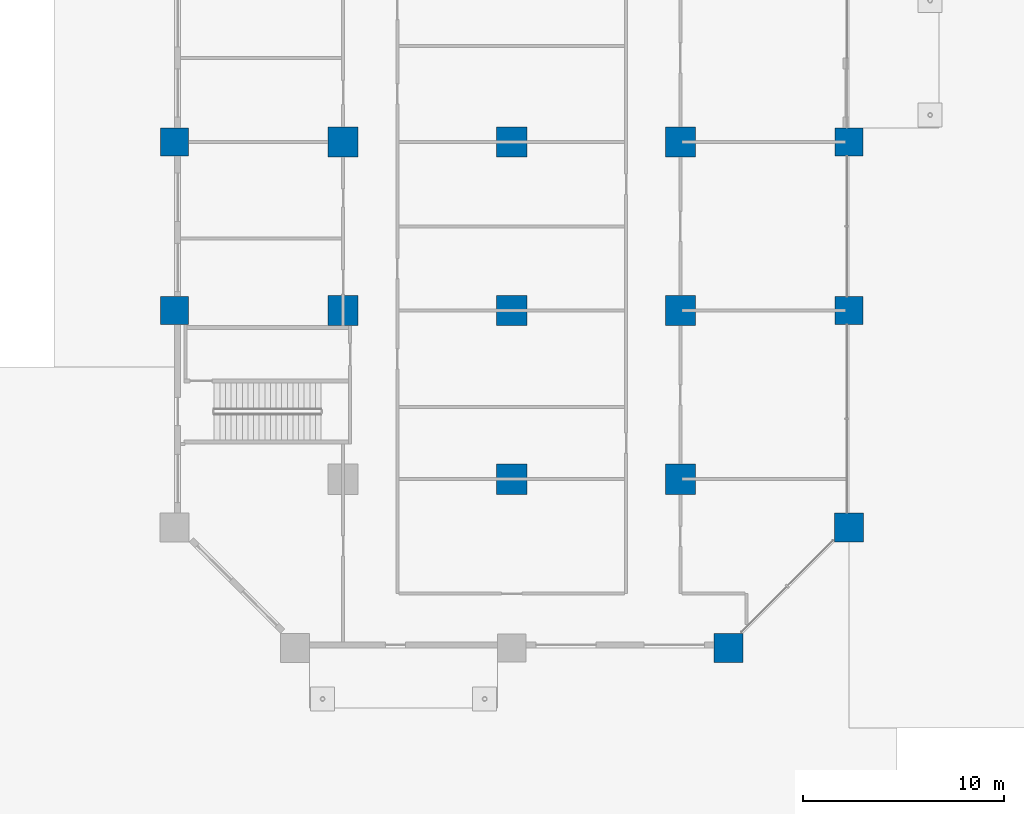
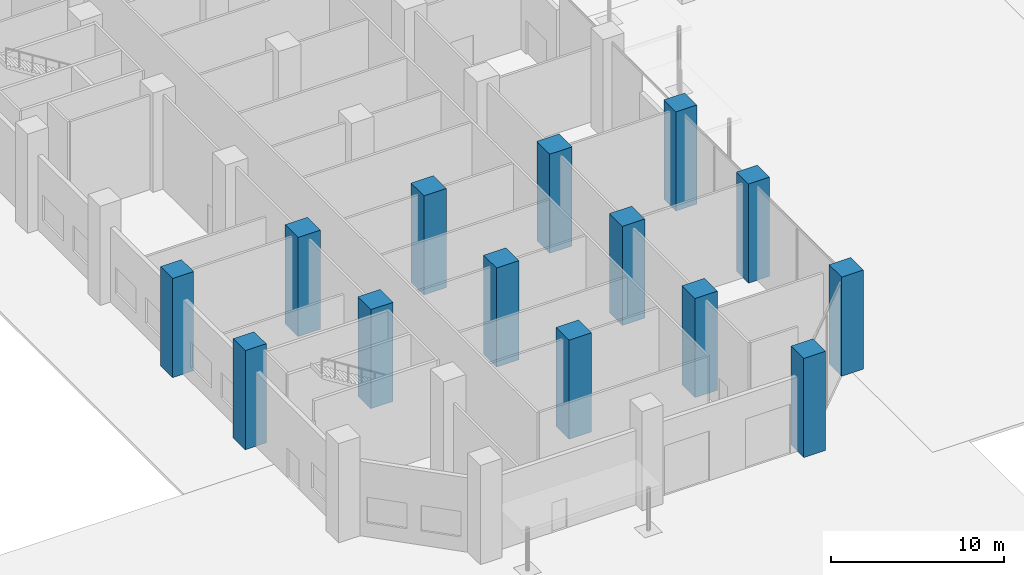
# One storey, part 3 of 32: 14 columns.
"""IFC4 building model written with IfcOpenShell, lengths in metres."""

from ifc_helpers import new_model, si_unit, direction, frame, origin, origin_2d, place, context, subcontext, project, spatial, rectangle, extrude, material, material_profile, profile_set, type_object, element, save


model = new_model("IFC4")

# Units and contexts
model_context = context("Model", 3, precision=1e-05, world=origin(), true_north=direction((0.0, 1.0)))
body_context = subcontext(model_context, "Body", "Model", "MODEL_VIEW")
ifc_project = project(units=[si_unit("LENGTHUNIT", "METRE"), si_unit("AREAUNIT", "SQUARE_METRE"), si_unit("VOLUMEUNIT", "CUBIC_METRE"), si_unit("PLANEANGLEUNIT", "RADIAN"), si_unit("MASSUNIT", "GRAM", prefix="KILO")], contexts=[model_context])

# Site, building, storey
site_placement = place(None, origin())
site = spatial("IfcSite", under=ifc_project, at=site_placement, CompositionType="ELEMENT")
building_placement = place(site_placement, origin())
building = spatial("IfcBuilding", under=site, at=building_placement, Name="Kawkab Arch Medical Tower", CompositionType="ELEMENT")
storey_placement = place(building_placement, origin())
storey = spatial("IfcBuildingStorey", under=building, at=storey_placement, Name="L01", CompositionType="ELEMENT", Elevation=0.0)

# Columns
ifc_material_1 = material(Name="Concrete C60/75", Category="concrete")
ifc_material_profile_1 = material_profile(ifc_material_1, rectangle(XDim=1.39990234375, YDim=1.39990234375, at=origin_2d()), Name="RC 1400x1400")
ifc_profile_set_1 = profile_set([ifc_material_profile_1], Name="Concrete C60/75")
column_type_1 = type_object("IfcColumnType", Name="RC 1400x1400 column C60/75", PredefinedType="COLUMN", material=ifc_profile_set_1)
for number, where, z_axis, x_axis, name in (
    (1, (0.0, -58.800048828125, 0.0), (0.0, 0.0, 1.0), (1.0, 0.0, 0.0), "Column RC 1400x1400"),
    (2, (33.60009765625, -58.800048828125, 0.0), (0.0, 0.0, 1.0), (1.0, 0.0, 0.0), "Column RC 1400x1400"),
    (3, (0.0, -67.199951171875, 0.0), (0.0, 0.0, 1.0), (1.0, 0.0, 0.0), "Column RC 1400x1400"),
    (4, (33.60009765625, -67.199951171875, 0.0), (0.0, 0.0, 1.0), (1.0, 0.0, 0.0), "Column RC 1400x1400"),
):
    element("IfcColumn", number, at=place(storey_placement, frame(where, z_axis=z_axis, x_axis=x_axis)), inside=storey, type_object=column_type_1, Name=name, PredefinedType="COLUMN", context=body_context, shape_type="SweptSolid", body=[
        extrude(rectangle(XDim=1.39990234375, YDim=1.39990234375, at=origin_2d()), origin(), (0.0, 0.0, 1.0), 7.0),
    ])
ifc_material_2 = material(Name="Concrete C60/75", Category="concrete")
ifc_material_profile_2 = material_profile(ifc_material_2, rectangle(XDim=1.449951171875, YDim=1.449951171875, at=origin_2d()), Name="RC 1450x1450")
ifc_profile_set_2 = profile_set([ifc_material_profile_2], Name="Concrete C60/75")
column_type_2 = type_object("IfcColumnType", Name="RC 1450x1450 column C60/75", PredefinedType="COLUMN", material=ifc_profile_set_2)
for number, where, z_axis, x_axis, name in (
    (5, (33.60009765625, -78.0, 0.0), (0.0, 0.0, 1.0), (1.0, 0.0, 0.0), "Column RC 1450x1450"),
    (6, (27.60009765625, -84.0, 0.0), (0.0, 0.0, 1.0), (1.0, 0.0, 0.0), "Column RC 1450x1450"),
):
    element("IfcColumn", number, at=place(storey_placement, frame(where, z_axis=z_axis, x_axis=x_axis)), inside=storey, type_object=column_type_2, Name=name, PredefinedType="COLUMN", context=body_context, shape_type="SweptSolid", body=[
        extrude(rectangle(XDim=1.449951171875, YDim=1.449951171875, at=origin_2d()), origin(), (0.0, 0.0, 1.0), 7.0),
    ])
ifc_material_3 = material(Name="Concrete C60/75", Category="concrete")
ifc_material_profile_3 = material_profile(ifc_material_3, rectangle(XDim=1.5, YDim=1.5, at=origin_2d()), Name="RC 1500x1500")
ifc_profile_set_3 = profile_set([ifc_material_profile_3], Name="Concrete C60/75")
column_type_3 = type_object("IfcColumnType", Name="RC 1500x1500 column C60/75", PredefinedType="COLUMN", material=ifc_profile_set_3)
for number, where, z_axis, x_axis, name in (
    (7, (8.39990234375, -58.800048828125, 0.0), (0.0, 0.0, 1.0), (1.0, 0.0, 0.0), "Column RC 1500x1500"),
    (8, (16.800048828125, -58.800048828125, 0.0), (0.0, 0.0, 1.0), (1.0, 0.0, 0.0), "Column RC 1500x1500"),
    (9, (25.199951171875, -58.800048828125, 0.0), (0.0, 0.0, 1.0), (1.0, 0.0, 0.0), "Column RC 1500x1500"),
    (10, (8.39990234375, -67.199951171875, 0.0), (0.0, 0.0, 1.0), (1.0, 0.0, 0.0), "Column RC 1500x1500"),
    (11, (16.800048828125, -67.199951171875, 0.0), (0.0, 0.0, 1.0), (1.0, 0.0, 0.0), "Column RC 1500x1500"),
    (12, (25.199951171875, -67.199951171875, 0.0), (0.0, 0.0, 1.0), (1.0, 0.0, 0.0), "Column RC 1500x1500"),
    (13, (16.800048828125, -75.60009765625, 0.0), (0.0, 0.0, 1.0), (1.0, 0.0, 0.0), "Column RC 1500x1500"),
    (14, (25.199951171875, -75.60009765625, 0.0), (0.0, 0.0, 1.0), (1.0, 0.0, 0.0), "Column RC 1500x1500"),
):
    element("IfcColumn", number, at=place(storey_placement, frame(where, z_axis=z_axis, x_axis=x_axis)), inside=storey, type_object=column_type_3, Name=name, PredefinedType="COLUMN", context=body_context, shape_type="SweptSolid", body=[
        extrude(rectangle(XDim=1.5, YDim=1.5, at=origin_2d()), origin(), (0.0, 0.0, 1.0), 7.0),
    ])

save(model, "model.ifc")
